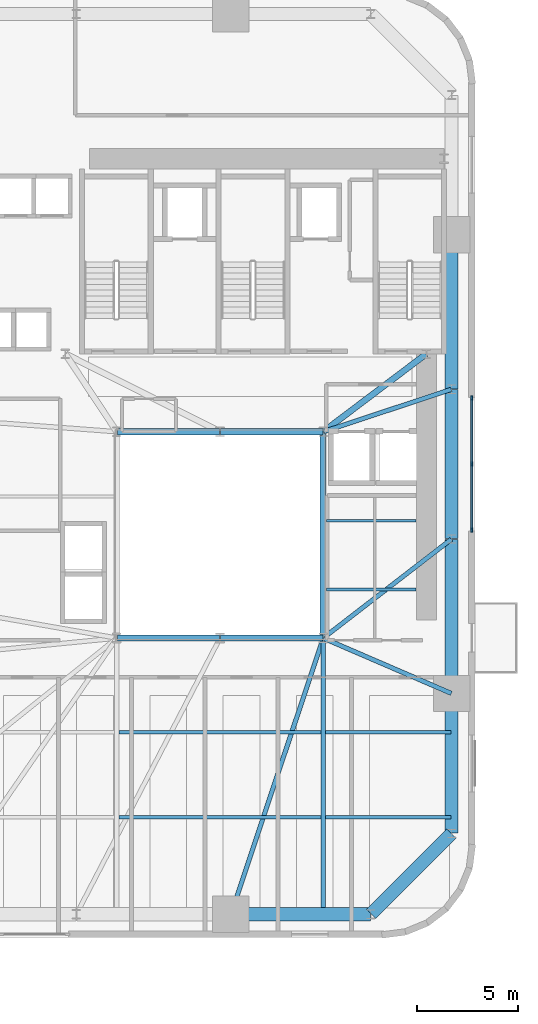
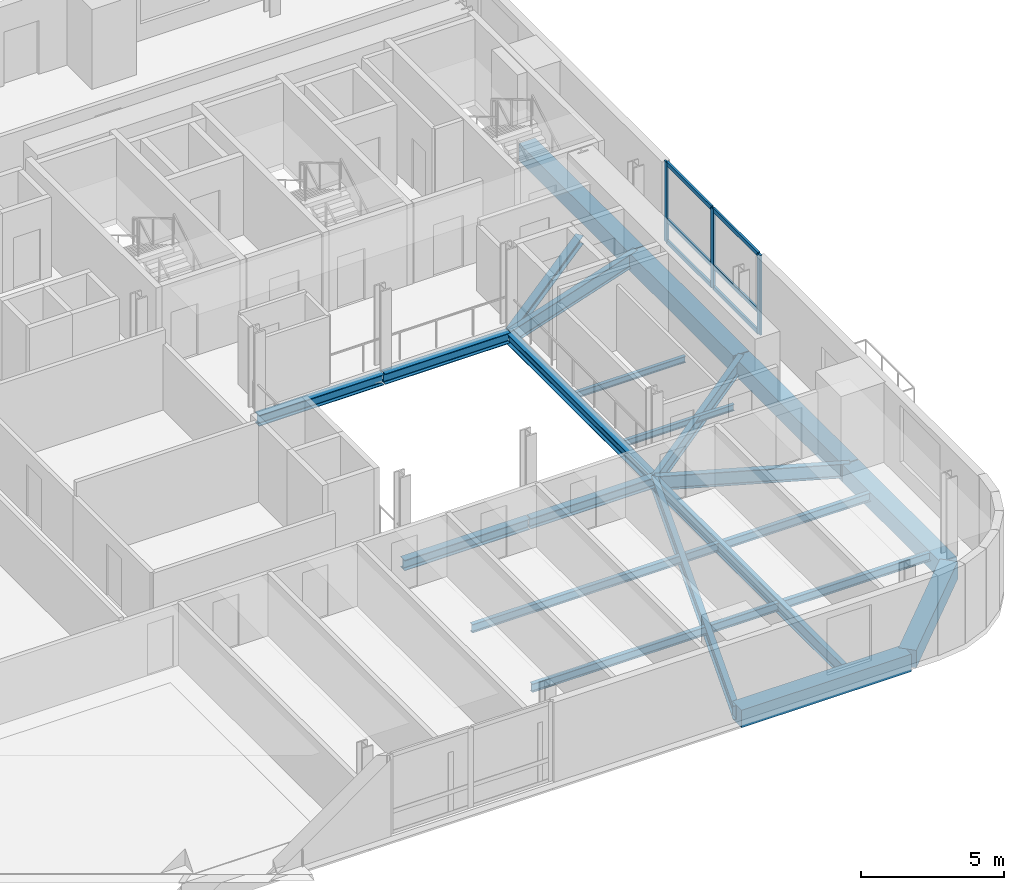
# One storey, part 3 of 13: 23 beams, 9 members, 1 element without a shape of its own.
"""IFC4 building model written with IfcOpenShell, lengths in metres."""

from ifc_helpers import new_model, si_unit, direction, frame, origin, origin_2d, place, context, subcontext, project, spatial, rectangle, i_section, extrude, source, transform, mapped, material, material_profile, profile_set, type_object, element, aggregate, save


model = new_model("IFC4")

# Units and contexts
model_context = context("Model", 3, precision=1e-05, world=origin(), true_north=direction((0.0, 1.0)))
body_context = subcontext(model_context, "Body", "Model", "MODEL_VIEW")
ifc_project = project(units=[si_unit("LENGTHUNIT", "METRE"), si_unit("AREAUNIT", "SQUARE_METRE"), si_unit("VOLUMEUNIT", "CUBIC_METRE"), si_unit("PLANEANGLEUNIT", "RADIAN"), si_unit("MASSUNIT", "GRAM", prefix="KILO")], contexts=[model_context])

# Site, building, storey
site_placement = place(None, origin())
site = spatial("IfcSite", under=ifc_project, at=site_placement, CompositionType="ELEMENT")
building_placement = place(site_placement, origin())
building = spatial("IfcBuilding", under=site, at=building_placement, Name="Vardaveli Station Tower", CompositionType="ELEMENT")
storey_placement = place(building_placement, frame((0.0, 0.0, 64.10009765625)))
storey = spatial("IfcBuildingStorey", under=building, at=storey_placement, Name="L16", CompositionType="ELEMENT", Elevation=64.10009765625)

# Beams
ifc_material_1 = material(Name="Structural steel S355J2", Category="steel")
ifc_material_profile_1 = material_profile(ifc_material_1, i_section(OverallWidth=0.300048828125, OverallDepth=0.449951171875, WebThickness=0.013916015625, FlangeThickness=0.02587890625, FilletRadius=0.027099609375, at=origin_2d()), Name="HEB 450")
ifc_profile_set_1 = profile_set([ifc_material_profile_1], Name="Structural steel S355J2")
beam_type_1 = type_object("IfcBeamType", Name="BM-HEB450", PredefinedType="BEAM", material=ifc_profile_set_1)
shared_shape_1 = source(origin(), body_context, "Body", "SweptSolid", [
    extrude(i_section(OverallWidth=0.300048828125, OverallDepth=0.449951171875, WebThickness=0.013916015625, FlangeThickness=0.02587890625, FilletRadius=0.027099609375, at=origin_2d()), origin(), (0.0, 0.0, 1.0), 5.06005859375),
])
for number, where, z_axis, x_axis, name in (
    (1, (31.219970703125, 16.60009765625, -0.465087890625), (1.0, 0.0, 0.0), (0.0, 1.0, 0.0), "ABM-L16-01"),
    (2, (36.280029296875, 26.800048828125, -0.465087890625), (-1.0, 0.0, 0.0), (0.0, -1.0, 0.0), "ABM-L16-05"),
):
    element("IfcBeam", number, at=place(storey_placement, frame(where, z_axis=z_axis, x_axis=x_axis)), inside=storey, type_object=beam_type_1, Name=name, PredefinedType="BEAM", context=body_context, shape_type="MappedRepresentation", body=[
        mapped(shared_shape_1, transform((0.0, 0.0, 0.0), scale=1.0)),
    ])
shared_shape_2 = source(origin(), body_context, "Body", "SweptSolid", [
    extrude(i_section(OverallWidth=0.300048828125, OverallDepth=0.449951171875, WebThickness=0.013916015625, FlangeThickness=0.02587890625, FilletRadius=0.027099609375, at=origin_2d()), origin(), (0.0, 0.0, 1.0), 5.059814453125),
])
for number, where, z_axis, x_axis, name in (
    (3, (36.320068359375, 16.60009765625, -0.465087890625), (1.0, 0.0, 0.0), (0.0, 1.0, 0.0), "ABM-L16-02"),
    (4, (41.3798828125, 26.800048828125, -0.465087890625), (-1.0, 0.0, 0.0), (0.0, -1.0, 0.0), "ABM-L16-04"),
):
    element("IfcBeam", number, at=place(storey_placement, frame(where, z_axis=z_axis, x_axis=x_axis)), inside=storey, type_object=beam_type_1, Name=name, PredefinedType="BEAM", context=body_context, shape_type="MappedRepresentation", body=[
        mapped(shared_shape_2, transform((0.0, 0.0, 0.0), scale=1.0)),
    ])
shared_shape_3 = source(origin(), body_context, "Body", "SweptSolid", [
    extrude(i_section(OverallWidth=0.300048828125, OverallDepth=0.449951171875, WebThickness=0.013916015625, FlangeThickness=0.02587890625, FilletRadius=0.027099609375, at=origin_2d()), origin(), (0.0, 0.0, 1.0), 10.159912109375),
])
beam_1_placement = place(storey_placement, frame((41.39990234375, 16.6201171875, -0.465087890625), z_axis=(0.0, 1.0, 0.0), x_axis=(-1.0, 0.0, 0.0)))
element("IfcBeam", 5, at=beam_1_placement, inside=storey, type_object=beam_type_1, Name="ABM-L16-03", PredefinedType="BEAM", context=body_context, shape_type="MappedRepresentation", body=[
    mapped(shared_shape_3, transform((0.0, 0.0, 0.0), scale=1.0)),
])
ifc_material_profile_2 = material_profile(ifc_material_1, i_section(OverallWidth=0.300048828125, OverallDepth=0.360107421875, WebThickness=0.012451171875, FlangeThickness=0.0224609375, FilletRadius=0.027099609375, at=origin_2d()), Name="HEB 360")
ifc_profile_set_2 = profile_set([ifc_material_profile_2], Name="Structural steel S355J2")
beam_type_2 = type_object("IfcBeamType", Name="BM-HEB360", PredefinedType="BEAM", material=ifc_profile_set_2)
shared_shape_4 = source(origin(), body_context, "Body", "SweptSolid", [
    extrude(i_section(OverallWidth=0.300048828125, OverallDepth=0.360107421875, WebThickness=0.012451171875, FlangeThickness=0.0224609375, FilletRadius=0.027099609375, at=origin_2d()), origin(), (0.0, 0.0, 1.0), 6.35009765625),
])
beam_2_placement = place(storey_placement, frame((41.416015625, 26.81201171875, -0.420166015625), z_axis=(0.798118337722, 0.602500721154, 0.0), x_axis=(-0.602500721154, 0.798118337722, 0.0)))
element("IfcBeam", 6, at=beam_2_placement, inside=storey, type_object=beam_type_2, Name="CBM-L16-02", PredefinedType="BEAM", context=body_context, shape_type="MappedRepresentation", body=[
    mapped(shared_shape_4, transform((0.0, 0.0, 0.0), scale=1.0)),
])
ifc_material_2 = material(Name="Precast concrete C45/55", Category="concrete")
ifc_material_profile_3 = material_profile(ifc_material_2, rectangle(XDim=0.64990234375, YDim=0.75, at=origin_2d()), Name="LPB 650x750")
ifc_profile_set_3 = profile_set([ifc_material_profile_3], Name="Precast concrete C45/55")
beam_type_3 = type_object("IfcBeamType", Name="BM-LPB-750", PredefinedType="BEAM", material=ifc_profile_set_3)
shared_shape_5 = source(origin(), body_context, "Body", "SweptSolid", [
    extrude(rectangle(XDim=0.64990234375, YDim=0.75, at=origin_2d()), origin(), (0.0, 0.0, 1.0), 7.60009765625),
])
for number, where, z_axis, x_axis, name in (
    (7, (47.75, 13.8798828125, -0.614990234375), (0.0, 1.0, 0.0), (-1.0, 0.0, 0.0), "RBM-L16-07"),
    (8, (47.75, 28.919921875, -0.614990234375), (0.0, 1.0, 0.0), (-1.0, 0.0, 0.0), "RBM-L16-09"),
):
    element("IfcBeam", number, at=place(storey_placement, frame(where, z_axis=z_axis, x_axis=x_axis)), inside=storey, type_object=beam_type_3, Name=name, PredefinedType="BEAM", context=body_context, shape_type="MappedRepresentation", body=[
        mapped(shared_shape_5, transform((0.0, 0.0, 0.0), scale=1.0)),
    ])
shared_shape_6 = source(origin(), body_context, "Body", "SweptSolid", [
    extrude(rectangle(XDim=0.64990234375, YDim=0.75, at=origin_2d()), origin(), (0.0, 0.0, 1.0), 7.35986328125),
])
beam_3_placement = place(storey_placement, frame((47.75, 21.52001953125, -0.614990234375), z_axis=(0.0, 1.0, 0.0), x_axis=(-1.0, 0.0, 0.0)))
element("IfcBeam", 9, at=beam_3_placement, inside=storey, type_object=beam_type_3, Name="RBM-L16-08", PredefinedType="BEAM", context=body_context, shape_type="MappedRepresentation", body=[
    mapped(shared_shape_6, transform((0.0, 0.0, 0.0), scale=1.0)),
])
shared_shape_7 = source(origin(), body_context, "Body", "SweptSolid", [
    extrude(rectangle(XDim=0.64990234375, YDim=0.75, at=origin_2d()), origin(), (0.0, 0.0, 1.0), 6.869873046875),
])
beam_4_placement = place(storey_placement, frame((36.860107421875, 2.949951171875, -0.614990234375), z_axis=(1.0, 0.0, 0.0), x_axis=(0.0, 1.0, 0.0)))
element("IfcBeam", 10, at=beam_4_placement, inside=storey, type_object=beam_type_3, Name="RBM-L16-04", PredefinedType="BEAM", context=body_context, shape_type="MappedRepresentation", body=[
    mapped(shared_shape_7, transform((0.0, 0.0, 0.0), scale=1.0)),
])
shared_shape_8 = source(origin(), body_context, "Body", "SweptSolid", [
    extrude(rectangle(XDim=0.64990234375, YDim=0.75, at=origin_2d()), origin(), (0.0, 0.0, 1.0), 5.61669921875),
])
beam_5_placement = place(storey_placement, frame((43.76416015625, 2.964111328125, -0.614990234375), z_axis=(0.707106781187, 0.707106781187, 0.0), x_axis=(-0.707106781187, 0.707106781187, 0.0)))
element("IfcBeam", 11, at=beam_5_placement, inside=storey, type_object=beam_type_3, Name="RBM-L16-05", PredefinedType="BEAM", context=body_context, shape_type="MappedRepresentation", body=[
    mapped(shared_shape_8, transform((0.0, 0.0, 0.0), scale=1.0)),
])
shared_shape_9 = source(origin(), body_context, "Body", "SweptSolid", [
    extrude(rectangle(XDim=0.64990234375, YDim=0.75, at=origin_2d()), origin(), (0.0, 0.0, 1.0), 6.8701171875),
])
beam_6_placement = place(storey_placement, frame((47.75, 6.969970703125, -0.614990234375), z_axis=(0.0, 1.0, 0.0), x_axis=(-1.0, 0.0, 0.0)))
element("IfcBeam", 12, at=beam_6_placement, inside=storey, type_object=beam_type_3, Name="RBM-L16-06", PredefinedType="BEAM", context=body_context, shape_type="MappedRepresentation", body=[
    mapped(shared_shape_9, transform((0.0, 0.0, 0.0), scale=1.0)),
])
ifc_material_profile_4 = material_profile(ifc_material_1, i_section(OverallWidth=0.219970703125, OverallDepth=0.60009765625, WebThickness=0.011962890625, FlangeThickness=0.01904296875, FilletRadius=0.02392578125, at=origin_2d()), Name="IPE 600")
ifc_profile_set_4 = profile_set([ifc_material_profile_4], Name="Structural steel S355J2")
beam_type_4 = type_object("IfcBeamType", Name="BM-IPE600", PredefinedType="BEAM", material=ifc_profile_set_4)
shared_shape_10 = source(origin(), body_context, "Body", "SweptSolid", [
    extrude(i_section(OverallWidth=0.219970703125, OverallDepth=0.60009765625, WebThickness=0.011962890625, FlangeThickness=0.01904296875, FilletRadius=0.02392578125, at=origin_2d()), origin(), (0.0, 0.0, 1.0), 14.3515625),
])
beam_7_placement = place(storey_placement, frame((36.846435546875, 2.968994140625, -0.5400390625), z_axis=(0.316840115921, 0.948478961782, 0.0), x_axis=(-0.948478961782, 0.316840115921, 0.0)))
element("IfcBeam", 13, at=beam_7_placement, inside=storey, type_object=beam_type_4, Name="GBM-L16-04", PredefinedType="BEAM", context=body_context, shape_type="MappedRepresentation", body=[
    mapped(shared_shape_10, transform((0.0, 0.0, 0.0), scale=1.0)),
])
shared_shape_11 = source(origin(), body_context, "Body", "SweptSolid", [
    extrude(i_section(OverallWidth=0.219970703125, OverallDepth=0.60009765625, WebThickness=0.011962890625, FlangeThickness=0.01904296875, FilletRadius=0.02392578125, at=origin_2d()), origin(), (0.0, 0.0, 1.0), 6.8759765625),
])
beam_8_placement = place(storey_placement, frame((47.731689453125, 13.867919921875, -0.5400390625), z_axis=(-0.918170694621, 0.396185026899, 0.0), x_axis=(-0.396185026899, -0.918170694621, 0.0)))
element("IfcBeam", 14, at=beam_8_placement, inside=storey, type_object=beam_type_4, Name="GBM-L16-05", PredefinedType="BEAM", context=body_context, shape_type="MappedRepresentation", body=[
    mapped(shared_shape_11, transform((0.0, 0.0, 0.0), scale=1.0)),
])
shared_shape_12 = source(origin(), body_context, "Body", "SweptSolid", [
    extrude(i_section(OverallWidth=0.219970703125, OverallDepth=0.60009765625, WebThickness=0.011962890625, FlangeThickness=0.01904296875, FilletRadius=0.02392578125, at=origin_2d()), origin(), (0.0, 0.0, 1.0), 7.980712890625),
])
beam_9_placement = place(storey_placement, frame((47.734130859375, 21.48779296875, -0.5400390625), z_axis=(-0.791701934907, -0.610907559509, 0.0), x_axis=(0.610907559509, -0.791701934907, 0.0)))
element("IfcBeam", 15, at=beam_9_placement, inside=storey, type_object=beam_type_4, Name="GBM-L16-06", PredefinedType="BEAM", context=body_context, shape_type="MappedRepresentation", body=[
    mapped(shared_shape_12, transform((0.0, 0.0, 0.0), scale=1.0)),
])
shared_shape_13 = source(origin(), body_context, "Body", "SweptSolid", [
    extrude(i_section(OverallWidth=0.219970703125, OverallDepth=0.60009765625, WebThickness=0.011962890625, FlangeThickness=0.01904296875, FilletRadius=0.02392578125, at=origin_2d()), origin(), (0.0, 0.0, 1.0), 6.648193359375),
])
beam_10_placement = place(storey_placement, frame((47.73095703125, 28.893798828125, -0.5400390625), z_axis=(-0.949429779906, -0.313979446824, 0.0), x_axis=(0.313979446824, -0.949429779906, 0.0)))
element("IfcBeam", 16, at=beam_10_placement, inside=storey, type_object=beam_type_4, Name="GBM-L16-07", PredefinedType="BEAM", context=body_context, shape_type="MappedRepresentation", body=[
    mapped(shared_shape_13, transform((0.0, 0.0, 0.0), scale=1.0)),
])
ifc_material_profile_5 = material_profile(ifc_material_1, i_section(OverallWidth=0.2099609375, OverallDepth=0.550048828125, WebThickness=0.010986328125, FlangeThickness=0.01708984375, FilletRadius=0.02392578125, at=origin_2d()), Name="IPE 550")
ifc_profile_set_5 = profile_set([ifc_material_profile_5], Name="Structural steel S355J2")
beam_type_5 = type_object("IfcBeamType", Name="BM-IPE550", PredefinedType="BEAM", material=ifc_profile_set_5)
shared_shape_14 = source(origin(), body_context, "Body", "SweptSolid", [
    extrude(i_section(OverallWidth=0.2099609375, OverallDepth=0.550048828125, WebThickness=0.010986328125, FlangeThickness=0.01708984375, FilletRadius=0.02392578125, at=origin_2d()), origin(), (0.0, 0.0, 1.0), 13.469970703125),
])
beam_11_placement = place(storey_placement, frame((41.39990234375, 2.989990234375, -0.51513671875), z_axis=(0.0, 1.0, 0.0), x_axis=(-1.0, 0.0, 0.0)))
element("IfcBeam", 17, at=beam_11_placement, inside=storey, type_object=beam_type_5, Name="NSM-L16-S2", PredefinedType="BEAM", context=body_context, shape_type="MappedRepresentation", body=[
    mapped(shared_shape_14, transform((0.0, 0.0, 0.0), scale=1.0)),
])
ifc_material_profile_6 = material_profile(ifc_material_1, i_section(OverallWidth=0.169921875, OverallDepth=0.360107421875, WebThickness=0.008056640625, FlangeThickness=0.0126953125, FilletRadius=0.01806640625, at=origin_2d()), Name="IPE 360")
ifc_profile_set_6 = profile_set([ifc_material_profile_6], Name="Structural steel S355J2")
beam_type_6 = type_object("IfcBeamType", Name="BM-IPE360", PredefinedType="JOIST", material=ifc_profile_set_6)
shared_shape_15 = source(origin(), body_context, "Body", "SweptSolid", [
    extrude(i_section(OverallWidth=0.169921875, OverallDepth=0.360107421875, WebThickness=0.008056640625, FlangeThickness=0.0126953125, FilletRadius=0.01806640625, at=origin_2d()), origin(), (0.0, 0.0, 1.0), 9.97607421875),
])
for number, where, z_axis, x_axis, name in (
    (18, (31.31201171875, 7.75, -0.420166015625), (1.0, 0.0, 0.0), (0.0, 1.0, 0.0), "SJ-L16-S02"),
    (19, (31.31201171875, 11.949951171875, -0.420166015625), (1.0, 0.0, 0.0), (0.0, 1.0, 0.0), "SJ-L16-S05"),
):
    element("IfcBeam", number, at=place(storey_placement, frame(where, z_axis=z_axis, x_axis=x_axis)), inside=storey, type_object=beam_type_6, Name=name, PredefinedType="JOIST", context=body_context, shape_type="MappedRepresentation", body=[
        mapped(shared_shape_15, transform((0.0, 0.0, 0.0), scale=1.0)),
    ])
shared_shape_16 = source(origin(), body_context, "Body", "SweptSolid", [
    extrude(i_section(OverallWidth=0.169921875, OverallDepth=0.360107421875, WebThickness=0.008056640625, FlangeThickness=0.0126953125, FilletRadius=0.01806640625, at=origin_2d()), origin(), (0.0, 0.0, 1.0), 6.197998046875),
])
for number, where, z_axis, x_axis, name in (
    (20, (41.511962890625, 7.75, -0.420166015625), (1.0, 0.0, 0.0), (0.0, 1.0, 0.0), "SJ-L16-S03"),
    (21, (41.511962890625, 11.949951171875, -0.420166015625), (1.0, 0.0, 0.0), (0.0, 1.0, 0.0), "SJ-L16-S06"),
):
    element("IfcBeam", number, at=place(storey_placement, frame(where, z_axis=z_axis, x_axis=x_axis)), inside=storey, type_object=beam_type_6, Name=name, PredefinedType="JOIST", context=body_context, shape_type="MappedRepresentation", body=[
        mapped(shared_shape_16, transform((0.0, 0.0, 0.0), scale=1.0)),
    ])
ifc_material_profile_7 = material_profile(ifc_material_1, i_section(OverallWidth=0.135009765625, OverallDepth=0.27001953125, WebThickness=0.006591796875, FlangeThickness=0.01025390625, FilletRadius=0.014892578125, at=origin_2d()), Name="IPE 270")
ifc_profile_set_7 = profile_set([ifc_material_profile_7], Name="Structural steel S355J2")
beam_type_7 = type_object("IfcBeamType", Name="BM-IPE270", PredefinedType="BEAM", material=ifc_profile_set_7)
shared_shape_17 = source(origin(), body_context, "Body", "SweptSolid", [
    extrude(i_section(OverallWidth=0.135009765625, OverallDepth=0.27001953125, WebThickness=0.006591796875, FlangeThickness=0.01025390625, FilletRadius=0.014892578125, at=origin_2d()), origin(), (0.0, 0.0, 1.0), 4.43017578125),
])
for number, where, z_axis, x_axis, name in (
    (22, (41.56494140625, 19.0, -0.375), (1.0, 0.0, 0.0), (0.0, 1.0, 0.0), "TJ-L16-01"),
    (23, (41.56494140625, 22.39990234375, -0.375), (1.0, 0.0, 0.0), (0.0, 1.0, 0.0), "TJ-L16-02"),
):
    element("IfcBeam", number, at=place(storey_placement, frame(where, z_axis=z_axis, x_axis=x_axis)), inside=storey, type_object=beam_type_7, Name=name, PredefinedType="BEAM", context=body_context, shape_type="MappedRepresentation", body=[
        mapped(shared_shape_17, transform((0.0, 0.0, 0.0), scale=1.0)),
    ])

# Curtain wall, members
ifc_material_3 = material(Name="Travertine stone and solar-control glass", Category="masonry")
curtain_wall_type = type_object("IfcCurtainWallType", Name="CW-SYS-2", PredefinedType="NOTDEFINED", material=ifc_material_3)
curtain_wall_placement = place(storey_placement, origin())
curtain_wall = element("IfcCurtainWall", 24, at=curtain_wall_placement, inside=storey, type_object=curtain_wall_type, Name="CW-L16-E", PredefinedType="NOTDEFINED")
ifc_material_4 = material(Name="Anodised aluminium alloy 6063-T6", Category="aluminium")
ifc_material_profile_8 = material_profile(ifc_material_4, rectangle(XDim=0.0849609375, YDim=0.219970703125, at=origin_2d()), Name="CWM 85x220")
ifc_profile_set_8 = profile_set([ifc_material_profile_8], Name="Anodised aluminium alloy 6063-T6")
member_type_1 = type_object("IfcMemberType", Name="CW-SYS-2-MULL", PredefinedType="MULLION", material=ifc_profile_set_8)
shared_shape_18 = source(origin(), body_context, "Body", "SweptSolid", [
    extrude(rectangle(XDim=0.0849609375, YDim=0.219970703125, at=origin_2d()), origin(), (0.0, 0.0, 1.0), 3.409912109375),
])
member_1_placement = place(storey_placement, frame((48.739990234375, 21.9423828125, 0.0), z_axis=(0.0, 0.0, 1.0), x_axis=(-1.0, 0.0, 0.0)))
member_1 = element("IfcMember", 25, at=member_1_placement, type_object=member_type_1, Name="CW-2 mullion 1", PredefinedType="MULLION", context=body_context, shape_type="MappedRepresentation", body=[
    mapped(shared_shape_18, transform((0.0, 0.0, 0.0), scale=1.0)),
])
member_2_placement = place(storey_placement, frame((48.739990234375, 25.199951171875, 0.0), z_axis=(0.0, 0.0, 1.0), x_axis=(-1.0, 0.0, 0.0)))
member_2 = element("IfcMember", 26, at=member_2_placement, type_object=member_type_1, Name="CW-2 mullion 2", PredefinedType="MULLION", context=body_context, shape_type="MappedRepresentation", body=[
    mapped(shared_shape_18, transform((0.0, 0.0, 0.0), scale=1.0)),
])
member_3_placement = place(storey_placement, frame((48.739990234375, 28.45751953125, 0.0), z_axis=(0.0, 0.0, 1.0), x_axis=(-1.0, 0.0, 0.0)))
member_3 = element("IfcMember", 27, at=member_3_placement, type_object=member_type_1, Name="CW-2 mullion 3", PredefinedType="MULLION", context=body_context, shape_type="MappedRepresentation", body=[
    mapped(shared_shape_18, transform((0.0, 0.0, 0.0), scale=1.0)),
])
ifc_material_profile_9 = material_profile(ifc_material_4, rectangle(XDim=0.0849609375, YDim=0.179931640625, at=origin_2d()), Name="CWT 85x180")
ifc_profile_set_9 = profile_set([ifc_material_profile_9], Name="Anodised aluminium alloy 6063-T6")
member_type_2 = type_object("IfcMemberType", Name="CW-SYS-2-TRAN", PredefinedType="NOTDEFINED", material=ifc_profile_set_9)
shared_shape_19 = source(origin(), body_context, "Body", "SweptSolid", [
    extrude(rectangle(XDim=0.0849609375, YDim=0.179931640625, at=origin_2d()), origin(), (0.0, 0.0, 1.0), 3.172607421875),
])
member_4_placement = place(storey_placement, frame((48.739990234375, 25.242431640625, 0.04248046875), z_axis=(0.0, 1.0, 0.0), x_axis=(-1.0, 0.0, 0.0)))
member_4 = element("IfcMember", 28, at=member_4_placement, type_object=member_type_2, Name="CW-2 transom 2.1", ObjectType="TRANSOM", PredefinedType="USERDEFINED", context=body_context, shape_type="MappedRepresentation", body=[
    mapped(shared_shape_19, transform((0.0, 0.0, 0.0), scale=1.0)),
])
member_5_placement = place(storey_placement, frame((48.739990234375, 25.242431640625, 0.949951171875), z_axis=(0.0, 1.0, 0.0), x_axis=(-1.0, 0.0, 0.0)))
member_5 = element("IfcMember", 29, at=member_5_placement, type_object=member_type_2, Name="CW-2 transom 2.2", ObjectType="TRANSOM", PredefinedType="USERDEFINED", context=body_context, shape_type="MappedRepresentation", body=[
    mapped(shared_shape_19, transform((0.0, 0.0, 0.0), scale=1.0)),
])
member_6_placement = place(storey_placement, frame((48.739990234375, 25.242431640625, 3.367431640625), z_axis=(0.0, 1.0, 0.0), x_axis=(-1.0, 0.0, 0.0)))
member_6 = element("IfcMember", 30, at=member_6_placement, type_object=member_type_2, Name="CW-2 transom 2.3", ObjectType="TRANSOM", PredefinedType="USERDEFINED", context=body_context, shape_type="MappedRepresentation", body=[
    mapped(shared_shape_19, transform((0.0, 0.0, 0.0), scale=1.0)),
])
shared_shape_20 = source(origin(), body_context, "Body", "SweptSolid", [
    extrude(rectangle(XDim=0.0849609375, YDim=0.179931640625, at=origin_2d()), origin(), (0.0, 0.0, 1.0), 3.17236328125),
])
member_7_placement = place(storey_placement, frame((48.739990234375, 21.985107421875, 0.04248046875), z_axis=(0.0, 1.0, 0.0), x_axis=(-1.0, 0.0, 0.0)))
member_7 = element("IfcMember", 31, at=member_7_placement, type_object=member_type_2, Name="CW-2 transom 1.1", ObjectType="TRANSOM", PredefinedType="USERDEFINED", context=body_context, shape_type="MappedRepresentation", body=[
    mapped(shared_shape_20, transform((0.0, 0.0, 0.0), scale=1.0)),
])
member_8_placement = place(storey_placement, frame((48.739990234375, 21.985107421875, 0.949951171875), z_axis=(0.0, 1.0, 0.0), x_axis=(-1.0, 0.0, 0.0)))
member_8 = element("IfcMember", 32, at=member_8_placement, type_object=member_type_2, Name="CW-2 transom 1.2", ObjectType="TRANSOM", PredefinedType="USERDEFINED", context=body_context, shape_type="MappedRepresentation", body=[
    mapped(shared_shape_20, transform((0.0, 0.0, 0.0), scale=1.0)),
])
member_9_placement = place(storey_placement, frame((48.739990234375, 21.985107421875, 3.367431640625), z_axis=(0.0, 1.0, 0.0), x_axis=(-1.0, 0.0, 0.0)))
member_9 = element("IfcMember", 33, at=member_9_placement, type_object=member_type_2, Name="CW-2 transom 1.3", ObjectType="TRANSOM", PredefinedType="USERDEFINED", context=body_context, shape_type="MappedRepresentation", body=[
    mapped(shared_shape_20, transform((0.0, 0.0, 0.0), scale=1.0)),
])
aggregate(curtain_wall, [member_1, member_2, member_3, member_7, member_8, member_9, member_4, member_5, member_6])

save(model, "model.ifc")
